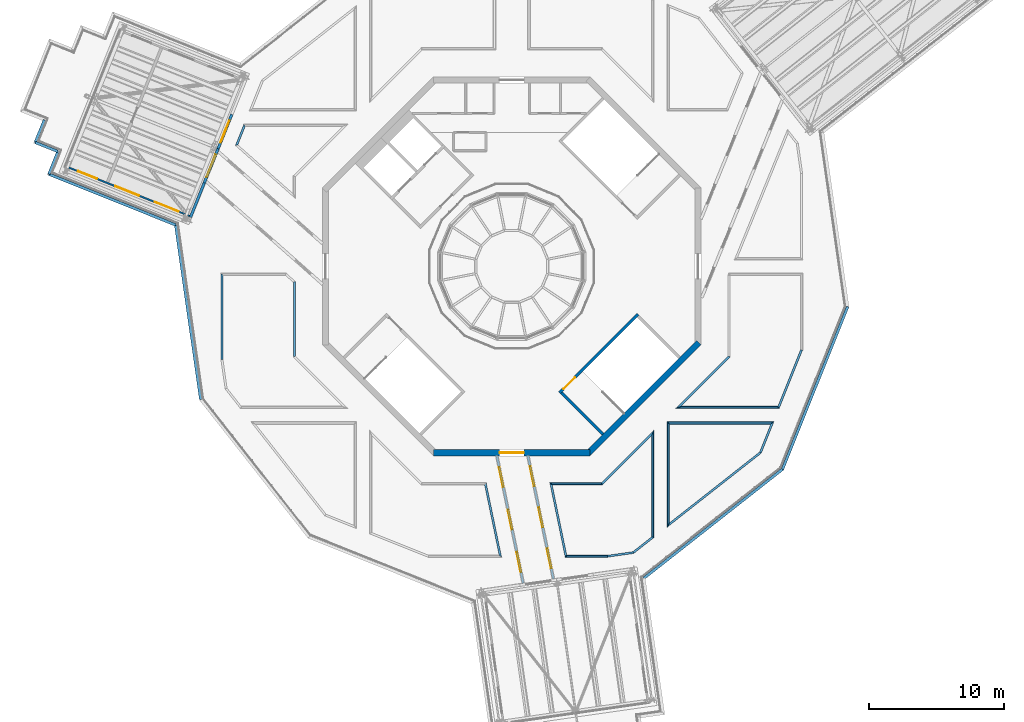
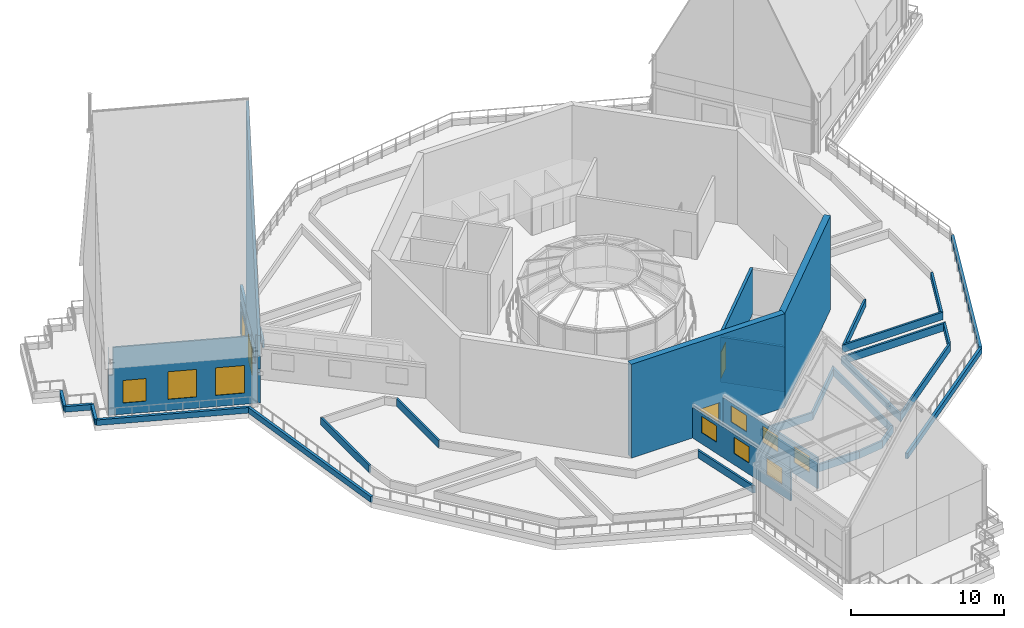
# One storey, part 13 of 32: 39 walls, 9 windows, 4 doors, 13 openings.
"""IFC4 building model written with IfcOpenShell, lengths in metres."""

from ifc_helpers import new_model, si_unit, direction, frame, frame_2d, origin, place, context, subcontext, project, spatial, polyline, rectangle, outline, extrude, material, layer, layer_set, type_object, element, fill, save


model = new_model("IFC4")

# Units and contexts
model_context = context("Model", 3, precision=1e-05, world=origin(), true_north=direction((0.0, 1.0)))
body_context = subcontext(model_context, "Body", "Model", "MODEL_VIEW")
ifc_project = project(units=[si_unit("LENGTHUNIT", "METRE"), si_unit("AREAUNIT", "SQUARE_METRE"), si_unit("VOLUMEUNIT", "CUBIC_METRE"), si_unit("PLANEANGLEUNIT", "RADIAN"), si_unit("MASSUNIT", "GRAM", prefix="KILO")], contexts=[model_context])

# Site, building, storey
site_placement = place(None, origin())
site = spatial("IfcSite", under=ifc_project, at=site_placement, CompositionType="ELEMENT")
building_placement = place(site_placement, origin())
building = spatial("IfcBuilding", under=site, at=building_placement, Name="Verdalira Terraces Hotel", CompositionType="ELEMENT")
storey_placement = place(building_placement, frame((0.0, 0.0, 315.0)))
storey = spatial("IfcBuildingStorey", under=building, at=storey_placement, Name="L78", CompositionType="ELEMENT", Elevation=315.0)

# Wall, opening, door
ifc_material_1 = material(Name="Concrete C40", Category="concrete")
ifc_layer_1 = layer(ifc_material_1, 0.199951171875)
ifc_layer_set_1 = layer_set([ifc_layer_1], Name="Bronze clad gable end wall 200 mm")
wall_type_1 = type_object("IfcWallType", Name="Bronze clad gable end wall 200 mm", PredefinedType="SOLIDWALL", material=ifc_layer_set_1)
wall_1_placement = place(storey_placement, frame((-20.696533, 11.23584, 0.0), z_axis=(0.0, 0.0, 1.0), x_axis=(-0.372038199, -0.92821742, 0.0)))
wall_1 = element("IfcWall", 1, at=wall_1_placement, inside=storey, type_object=wall_type_1, Name="Bronze clad gable end wall G1S2", PredefinedType="SOLIDWALL", context=body_context, shape_type="SweptSolid", body=[
    extrude(rectangle(XDim=2.72998, YDim=0.199951, at=frame_2d((1.36499, 0.0))), origin(), (0.0, 0.0, 1.0), 2.456055),
])
opening_1_placement = place(wall_1_placement, frame((0.465088, 0.0, 0.0)))
opening_1 = element("IfcOpeningElement", 2, at=opening_1_placement, cuts=wall_1, Name="Opening L78-D07", PredefinedType="OPENING", context=body_context, shape_type="SweptSolid", body=[
    extrude(rectangle(XDim=1.800049, YDim=2.100098, at=frame_2d((0.899902, 1.050049))), frame((0.0, 0.109863, 0.0), z_axis=(0.0, -1.0, 0.0), x_axis=(1.0, 0.0, 0.0)), (0.0, 0.0, 1.0), 0.219971),
])
ifc_material_2 = material(Name="Steel and glass door", Category="steel")
door_type_1 = type_object("IfcDoorType", Name="Pavilion door pair 1800 x 2100", OperationType="DOUBLE_DOOR_SINGLE_SWING", PredefinedType="DOOR", material=ifc_material_2)
door_1_placement = place(opening_1_placement, origin())
door_1 = element("IfcDoor", 3, at=door_1_placement, inside=storey, type_object=door_type_1, Name="Garden pavilion door", OperationType="DOUBLE_DOOR_SINGLE_SWING", OverallHeight=2.10009765625, OverallWidth=1.800048828125, PredefinedType="DOOR", context=body_context, shape_type="SweptSolid", body=[
    extrude(rectangle(XDim=1.800049, YDim=2.100098, at=frame_2d((0.899902, 1.050049))), frame((0.0, 0.024902, 0.0), z_axis=(0.0, -1.0, 0.0), x_axis=(1.0, 0.0, 0.0)), (0.0, 0.0, 1.0), 0.050049),
])
fill(opening_1, door_1)

# Wall
wall_2_placement = place(storey_placement, frame((-20.696533, 11.23584, 2.709961), z_axis=(0.0, 0.0, 1.0), x_axis=(-0.372038199, -0.92821742, 0.0)))
element("IfcWall", 4, at=wall_2_placement, inside=storey, type_object=wall_type_1, Name="Bronze clad gable end wall G1S2 middle course", PredefinedType="SOLIDWALL", context=body_context, shape_type="SweptSolid", body=[
    extrude(rectangle(XDim=2.72998, YDim=0.199951, at=frame_2d((1.36499, 0.0))), origin(), (0.0, 0.0, 1.0), 1.090088),
])

# Wall, opening, door
wall_3_placement = place(storey_placement, frame((-21.712158, 8.701904, 0.0), z_axis=(0.0, 0.0, 1.0), x_axis=(-0.372007317, -0.928229797, 0.0)))
wall_3 = element("IfcWall", 5, at=wall_3_placement, inside=storey, type_object=wall_type_1, Name="Bronze clad gable end wall G1S3", PredefinedType="SOLIDWALL", context=body_context, shape_type="SweptSolid", body=[
    extrude(rectangle(XDim=2.730225, YDim=0.199951, at=frame_2d((1.365234, 0.0))), origin(), (0.0, 0.0, 1.0), 2.456055),
])
opening_2_placement = place(wall_3_placement, frame((0.465088, 0.0, 0.0)))
opening_2 = element("IfcOpeningElement", 6, at=opening_2_placement, cuts=wall_3, Name="Opening L78-D08", PredefinedType="OPENING", context=body_context, shape_type="SweptSolid", body=[
    extrude(rectangle(XDim=1.800049, YDim=2.100098, at=frame_2d((0.899902, 1.050049))), frame((0.0, 0.109863, 0.0), z_axis=(0.0, -1.0, 0.0), x_axis=(1.0, 0.0, 0.0)), (0.0, 0.0, 1.0), 0.219971),
])
door_2_placement = place(opening_2_placement, origin())
door_2 = element("IfcDoor", 7, at=door_2_placement, inside=storey, type_object=door_type_1, Name="Garden pavilion door", OperationType="DOUBLE_DOOR_SINGLE_SWING", OverallHeight=2.10009765625, OverallWidth=1.800048828125, PredefinedType="DOOR", context=body_context, shape_type="SweptSolid", body=[
    extrude(rectangle(XDim=1.800049, YDim=2.100098, at=frame_2d((0.899902, 1.050049))), frame((0.0, 0.024902, 0.0), z_axis=(0.0, -1.0, 0.0), x_axis=(1.0, 0.0, 0.0)), (0.0, 0.0, 1.0), 0.050049),
])
fill(opening_2, door_2)

# Walls
wall_4_placement = place(storey_placement, frame((-21.712158, 8.701904, 2.709961), z_axis=(0.0, 0.0, 1.0), x_axis=(-0.372007317, -0.928229797, 0.0)))
element("IfcWall", 8, at=wall_4_placement, inside=storey, type_object=wall_type_1, Name="Bronze clad gable end wall G1S3 middle course", PredefinedType="SOLIDWALL", context=body_context, shape_type="SweptSolid", body=[
    extrude(rectangle(XDim=2.730225, YDim=0.199951, at=frame_2d((1.365234, 0.0))), origin(), (0.0, 0.0, 1.0), 1.090088),
])
wall_5_placement = place(storey_placement, frame((-22.727783, 6.167725, 0.0), z_axis=(0.0, 0.0, 1.0), x_axis=(-0.372038199, -0.92821742, 0.0)))
element("IfcWall", 9, at=wall_5_placement, inside=storey, type_object=wall_type_1, Name="Bronze clad gable end wall G1S4", PredefinedType="SOLIDWALL", context=body_context, shape_type="SweptSolid", body=[
    extrude(rectangle(XDim=2.72998, YDim=0.199951, at=frame_2d((1.36499, 0.0))), origin(), (0.0, 0.0, 1.0), 2.456055),
])
wall_6_placement = place(storey_placement, frame((-22.727783, 6.167725, 2.709961), z_axis=(0.0, 0.0, 1.0), x_axis=(-0.372038199, -0.92821742, 0.0)))
element("IfcWall", 10, at=wall_6_placement, inside=storey, type_object=wall_type_1, Name="Bronze clad gable end wall G1S4 middle course", PredefinedType="SOLIDWALL", context=body_context, shape_type="SweptSolid", body=[
    extrude(rectangle(XDim=2.72998, YDim=0.199951, at=frame_2d((1.36499, 0.0))), origin(), (0.0, 0.0, 1.0), 1.090088),
])
ifc_material_3 = material(Name="Concrete C40", Category="concrete")
ifc_layer_2 = layer(ifc_material_3, 0.199951171875)
ifc_layer_set_2 = layer_set([ifc_layer_2], Name="Bronze clad gable end wall G1 upper course 200 mm")
wall_type_2 = type_object("IfcWallType", Name="Bronze clad gable end wall G1 upper course 200 mm", PredefinedType="SOLIDWALL", material=ifc_layer_set_2)
wall_7_placement = place(storey_placement, frame((-23.743408, 3.633789, 3.800049), z_axis=(0.0, 0.0, 1.0), x_axis=(0.372022758, 0.928223609, 0.0)))
element("IfcWall", 11, at=wall_7_placement, inside=storey, type_object=wall_type_2, Name="Bronze clad gable end wall G1S upper 2", PredefinedType="SOLIDWALL", context=body_context, shape_type="SweptSolid", body=[
    extrude(outline(polyline([(0.0, 0.0), (5.459961, 0.0), (5.459961, 16.583984), (0.0, 1.602539), (0.0, 0.0)])), frame((0.0, 0.100098, 0.0), z_axis=(0.0, -1.0, 0.0), x_axis=(1.0, 0.0, 0.0)), (0.0, 0.0, 1.0), 0.199951),
])

# Wall, opening, door
ifc_material_4 = material(Name="Concrete C50", Category="concrete")
ifc_layer_3 = layer(ifc_material_4, 0.449951171875)
ifc_layer_set_3 = layer_set([ifc_layer_3], Name="Core wall 450 C50")
wall_type_3 = type_object("IfcWallType", Name="Core wall 450 C50", PredefinedType="SHEAR", material=ifc_layer_set_3)
wall_8_placement = place(storey_placement, frame((-5.799072, -13.774902, 0.0), z_axis=(0.0, 0.0, 1.0), x_axis=(1.0, 0.0, 0.0)))
wall_8 = element("IfcWall", 12, at=wall_8_placement, inside=storey, type_object=wall_type_3, Name="Core wall CW-L78-7", PredefinedType="SHEAR", context=body_context, shape_type="SweptSolid", body=[
    extrude(rectangle(XDim=11.598145, YDim=0.449951, at=frame_2d((5.799072, 0.0))), origin(), (0.0, 0.0, 1.0), 7.5),
])
opening_3_placement = place(wall_8_placement, frame((4.898926, 0.0, 0.0)))
opening_3 = element("IfcOpeningElement", 13, at=opening_3_placement, cuts=wall_8, Name="Opening L78-D04", PredefinedType="OPENING", context=body_context, shape_type="SweptSolid", body=[
    extrude(rectangle(XDim=1.800049, YDim=2.100098, at=frame_2d((0.899902, 1.050049))), frame((0.0, 0.234863, 0.0), z_axis=(0.0, -1.0, 0.0), x_axis=(1.0, 0.0, 0.0)), (0.0, 0.0, 1.0), 0.469971),
])
ifc_material_5 = material(Name="Steel fire door", Category="steel")
door_type_2 = type_object("IfcDoorType", Name="Garden door pair 1800 x 2100", OperationType="DOUBLE_DOOR_SINGLE_SWING", PredefinedType="DOOR", material=ifc_material_5)
door_3_placement = place(opening_3_placement, origin())
door_3 = element("IfcDoor", 14, at=door_3_placement, inside=storey, type_object=door_type_2, Name="Roof garden door", OperationType="DOUBLE_DOOR_SINGLE_SWING", OverallHeight=2.10009765625, OverallWidth=1.800048828125, PredefinedType="DOOR", context=body_context, shape_type="SweptSolid", body=[
    extrude(rectangle(XDim=1.800049, YDim=2.100098, at=frame_2d((0.899902, 1.050049))), frame((0.0, 0.024902, 0.0), z_axis=(0.0, -1.0, 0.0), x_axis=(1.0, 0.0, 0.0)), (0.0, 0.0, 1.0), 0.050049),
])
fill(opening_3, door_3)

# Walls
wall_9_placement = place(storey_placement, frame((5.639893, -13.84082, 0.0), z_axis=(0.0, 0.0, 1.0), x_axis=(0.707106781, 0.707106781, 0.0)))
element("IfcWall", 15, at=wall_9_placement, inside=storey, type_object=wall_type_3, Name="Core wall CW-L78-8", PredefinedType="SHEAR", context=body_context, shape_type="SweptSolid", body=[
    extrude(rectangle(XDim=11.5979, YDim=0.449951, at=frame_2d((5.798828, 0.0))), origin(), (0.0, 0.0, 1.0), 7.5),
])
ifc_material_6 = material(Name="Concrete C40", Category="concrete")
ifc_layer_4 = layer(ifc_material_6, 0.14990234375)
ifc_layer_set_4 = layer_set([ifc_layer_4], Name="Crown planter trough 150 x 600")
wall_type_4 = type_object("IfcWallType", Name="Crown planter trough 150 x 600", PredefinedType="SOLIDWALL", material=ifc_layer_set_4)
wall_10_placement = place(storey_placement, origin())
element("IfcWall", 16, at=wall_10_placement, inside=storey, type_object=wall_type_4, Name="Crown garden planter", PredefinedType="SOLIDWALL", context=body_context, shape_type="SweptSolid", body=[
    extrude(outline(polyline([(-19.804443, 10.5), (-20.429443, 8.940918), (-20.250732, 8.983398), (-19.702881, 10.350098), (-19.804443, 10.5)])), origin(), (0.0, 0.0, 1.0), 0.600098),
])
wall_11_placement = place(storey_placement, origin())
element("IfcWall", 17, at=wall_11_placement, inside=storey, type_object=wall_type_4, Name="Crown garden planter", PredefinedType="SOLIDWALL", context=body_context, shape_type="SweptSolid", body=[
    extrude(outline(polyline([(11.5, -19.271484), (18.441895, -13.816406), (18.317627, -13.723389), (11.649902, -18.962891), (11.5, -19.271484)])), origin(), (0.0, 0.0, 1.0), 0.600098),
])
wall_12_placement = place(storey_placement, origin())
element("IfcWall", 18, at=wall_12_placement, inside=storey, type_object=wall_type_4, Name="Crown garden planter", PredefinedType="SOLIDWALL", context=body_context, shape_type="SweptSolid", body=[
    extrude(outline(polyline([(18.441895, -13.816406), (19.370361, -11.5), (19.148682, -11.649902), (18.317627, -13.723389), (18.441895, -13.816406)])), origin(), (0.0, 0.0, 1.0), 0.600098),
])
wall_13_placement = place(storey_placement, origin())
element("IfcWall", 19, at=wall_13_placement, inside=storey, type_object=wall_type_4, Name="Crown garden planter", PredefinedType="SOLIDWALL", context=body_context, shape_type="SweptSolid", body=[
    extrude(outline(polyline([(19.370361, -11.5), (11.5, -11.5), (11.649902, -11.649902), (19.148682, -11.649902), (19.370361, -11.5)])), origin(), (0.0, 0.0, 1.0), 0.600098),
])
wall_14_placement = place(storey_placement, origin())
element("IfcWall", 20, at=wall_14_placement, inside=storey, type_object=wall_type_4, Name="Crown garden planter", PredefinedType="SOLIDWALL", context=body_context, shape_type="SweptSolid", body=[
    extrude(outline(polyline([(11.5, -11.5), (11.5, -19.271484), (11.649902, -18.962891), (11.649902, -11.649902), (11.5, -11.5)])), origin(), (0.0, 0.0, 1.0), 0.600098),
])
wall_15_placement = place(storey_placement, origin())
element("IfcWall", 21, at=wall_15_placement, inside=storey, type_object=wall_type_4, Name="Crown garden planter", PredefinedType="SOLIDWALL", context=body_context, shape_type="SweptSolid", body=[
    extrude(outline(polyline([(9.014404, -21.224609), (10.5, -20.057373), (10.350098, -19.984375), (8.953369, -21.081787), (9.014404, -21.224609)])), origin(), (0.0, 0.0, 1.0), 0.600098),
])
wall_16_placement = place(storey_placement, origin())
element("IfcWall", 22, at=wall_16_placement, inside=storey, type_object=wall_type_4, Name="Crown garden planter", PredefinedType="SOLIDWALL", context=body_context, shape_type="SweptSolid", body=[
    extrude(outline(polyline([(10.5, -20.057373), (10.5, -12.127441), (10.350098, -12.489502), (10.350098, -19.984375), (10.5, -20.057373)])), origin(), (0.0, 0.0, 1.0), 0.600098),
])
wall_17_placement = place(storey_placement, origin())
element("IfcWall", 23, at=wall_17_placement, inside=storey, type_object=wall_type_4, Name="Crown garden planter", PredefinedType="SOLIDWALL", context=body_context, shape_type="SweptSolid", body=[
    extrude(outline(polyline([(10.5, -12.127441), (6.627441, -16.0), (6.689453, -16.149902), (10.350098, -12.489502), (10.5, -12.127441)])), origin(), (0.0, 0.0, 1.0), 0.600098),
])
wall_18_placement = place(storey_placement, origin())
element("IfcWall", 24, at=wall_18_placement, inside=storey, type_object=wall_type_4, Name="Crown garden planter", PredefinedType="SOLIDWALL", context=body_context, shape_type="SweptSolid", body=[
    extrude(outline(polyline([(6.627441, -16.0), (2.809814, -16.0), (2.994141, -16.149902), (6.689453, -16.149902), (6.627441, -16.0)])), origin(), (0.0, 0.0, 1.0), 0.600098),
])
wall_19_placement = place(storey_placement, origin())
element("IfcWall", 25, at=wall_19_placement, inside=storey, type_object=wall_type_4, Name="Crown garden planter", PredefinedType="SOLIDWALL", context=body_context, shape_type="SweptSolid", body=[
    extrude(outline(polyline([(2.809814, -16.0), (3.949219, -21.5), (4.071289, -21.350098), (2.994141, -16.149902), (2.809814, -16.0)])), origin(), (0.0, 0.0, 1.0), 0.600098),
])
wall_20_placement = place(storey_placement, origin())
element("IfcWall", 26, at=wall_20_placement, inside=storey, type_object=wall_type_4, Name="Crown garden planter", PredefinedType="SOLIDWALL", context=body_context, shape_type="SweptSolid", body=[
    extrude(outline(polyline([(3.949219, -21.5), (7.093994, -21.5), (7.083252, -21.350098), (4.071289, -21.350098), (3.949219, -21.5)])), origin(), (0.0, 0.0, 1.0), 0.600098),
])
wall_21_placement = place(storey_placement, origin())
element("IfcWall", 27, at=wall_21_placement, inside=storey, type_object=wall_type_4, Name="Crown garden planter", PredefinedType="SOLIDWALL", context=body_context, shape_type="SweptSolid", body=[
    extrude(outline(polyline([(7.093994, -21.5), (9.014404, -21.224609), (8.953369, -21.081787), (7.083252, -21.350098), (7.093994, -21.5)])), origin(), (0.0, 0.0, 1.0), 0.600098),
])
wall_22_placement = place(storey_placement, origin())
element("IfcWall", 28, at=wall_22_placement, inside=storey, type_object=wall_type_4, Name="Crown garden planter", PredefinedType="SOLIDWALL", context=body_context, shape_type="SweptSolid", body=[
    extrude(outline(polyline([(16.0, -6.627441), (12.127441, -10.5), (12.489502, -10.350098), (16.149902, -6.689453), (16.0, -6.627441)])), origin(), (0.0, 0.0, 1.0), 0.600098),
])
wall_23_placement = place(storey_placement, origin())
element("IfcWall", 29, at=wall_23_placement, inside=storey, type_object=wall_type_4, Name="Crown garden planter", PredefinedType="SOLIDWALL", context=body_context, shape_type="SweptSolid", body=[
    extrude(outline(polyline([(12.127441, -10.5), (19.77124, -10.5), (19.669678, -10.350098), (12.489502, -10.350098), (12.127441, -10.5)])), origin(), (0.0, 0.0, 1.0), 0.600098),
])
wall_24_placement = place(storey_placement, origin())
element("IfcWall", 30, at=wall_24_placement, inside=storey, type_object=wall_type_4, Name="Crown garden planter", PredefinedType="SOLIDWALL", context=body_context, shape_type="SweptSolid", body=[
    extrude(outline(polyline([(19.77124, -10.5), (21.5, -6.186523), (21.350098, -6.157471), (19.669678, -10.350098), (19.77124, -10.5)])), origin(), (0.0, 0.0, 1.0), 0.600098),
])
wall_25_placement = place(storey_placement, origin())
element("IfcWall", 31, at=wall_25_placement, inside=storey, type_object=wall_type_4, Name="Crown garden planter", PredefinedType="SOLIDWALL", context=body_context, shape_type="SweptSolid", body=[
    extrude(outline(polyline([(-16.0, -6.627441), (-16.0, -1.104004), (-16.149902, -1.171631), (-16.149902, -6.689453), (-16.0, -6.627441)])), origin(), (0.0, 0.0, 1.0), 0.600098),
])
wall_26_placement = place(storey_placement, origin())
element("IfcWall", 32, at=wall_26_placement, inside=storey, type_object=wall_type_4, Name="Crown garden planter", PredefinedType="SOLIDWALL", context=body_context, shape_type="SweptSolid", body=[
    extrude(outline(polyline([(-21.5, -0.5), (-21.5, -6.876221), (-21.350098, -6.865479), (-21.350098, -0.649902), (-21.5, -0.5)])), origin(), (0.0, 0.0, 1.0), 0.600098),
])
wall_27_placement = place(storey_placement, origin())
element("IfcWall", 33, at=wall_27_placement, inside=storey, type_object=wall_type_4, Name="Crown garden planter", PredefinedType="SOLIDWALL", context=body_context, shape_type="SweptSolid", body=[
    extrude(outline(polyline([(-0.748291, -21.5), (-1.887939, -16.0), (-2.01001, -16.149902), (-0.932617, -21.350098), (-0.748291, -21.5)])), origin(), (0.0, 0.0, 1.0), 0.600098),
])
ifc_material_7 = material(Name="Concrete C40", Category="concrete")
ifc_layer_5 = layer(ifc_material_7, 0.199951171875)
ifc_layer_set_5 = layer_set([ifc_layer_5], Name="Crown upstand 200 x 450")
wall_type_5 = type_object("IfcWallType", Name="Crown upstand 200 x 450", PredefinedType="SOLIDWALL", material=ifc_layer_set_5)
for number, where, z_axis, x_axis, name in (
    (34, (-34.550537, 10.830811, 0.0), (0.0, 0.0, 1.0), (-0.372021953, -0.928223931, 0.0), "Crown upstand"),
    (35, (-35.220215, 9.159912, 0.0), (0.0, 0.0, 1.0), (0.928223931, -0.372021953, 0.0), "Crown upstand"),
):
    element("IfcWall", number, at=place(storey_placement, frame(where, z_axis=z_axis, x_axis=x_axis)), inside=storey, type_object=wall_type_5, Name=name, PredefinedType="SOLIDWALL", context=body_context, shape_type="SweptSolid", body=[
        extrude(rectangle(XDim=1.800049, YDim=0.199951, at=frame_2d((0.899902, 0.0))), origin(), (0.0, 0.0, 1.0), 0.449951),
    ])
wall_28_placement = place(storey_placement, frame((-33.549316, 8.490234, 0.0), z_axis=(0.0, 0.0, 1.0), x_axis=(-0.372068792, -0.928205157, 0.0)))
element("IfcWall", 36, at=wall_28_placement, inside=storey, type_object=wall_type_5, Name="Crown upstand", PredefinedType="SOLIDWALL", context=body_context, shape_type="SweptSolid", body=[
    extrude(rectangle(XDim=1.799805, YDim=0.199951, at=frame_2d((0.899902, 0.0))), origin(), (0.0, 0.0, 1.0), 0.449951),
])
wall_29_placement = place(storey_placement, frame((-34.218994, 6.81958, 0.0), z_axis=(0.0, 0.0, 1.0), x_axis=(0.928228076, -0.372011612, 0.0)))
element("IfcWall", 37, at=wall_29_placement, inside=storey, type_object=wall_type_5, Name="Crown upstand", PredefinedType="SOLIDWALL", context=body_context, shape_type="SweptSolid", body=[
    extrude(rectangle(XDim=10.099365, YDim=0.199951, at=frame_2d((5.049805, 0.0))), origin(), (0.0, 0.0, 1.0), 0.449951),
])
for number, where, z_axis, x_axis, name in (
    (38, (-24.844482, 3.0625, 0.0), (0.0, 0.0, 1.0), (0.141938054, -0.989875542, 0.0), "Crown upstand"),
    (39, (9.770264, -23.047119, 0.0), (0.0, 0.0, 1.0), (0.786289732, 0.617857958, 0.0), "Crown upstand"),
):
    element("IfcWall", number, at=place(storey_placement, frame(where, z_axis=z_axis, x_axis=x_axis)), inside=storey, type_object=wall_type_5, Name=name, PredefinedType="SOLIDWALL", context=body_context, shape_type="SweptSolid", body=[
        extrude(rectangle(XDim=13.031006, YDim=0.199951, at=frame_2d((6.515625, 0.0))), origin(), (0.0, 0.0, 1.0), 0.449951),
    ])
wall_30_placement = place(storey_placement, frame((20.016357, -14.99585, 0.0), z_axis=(0.0, 0.0, 1.0), x_axis=(0.372011606, 0.928228078, 0.0)))
element("IfcWall", 40, at=wall_30_placement, inside=storey, type_object=wall_type_5, Name="Crown upstand", PredefinedType="SOLIDWALL", context=body_context, shape_type="SweptSolid", body=[
    extrude(rectangle(XDim=12.946289, YDim=0.199951, at=frame_2d((6.473145, 0.0))), origin(), (0.0, 0.0, 1.0), 0.449951),
])

# Wall, openings, windows
ifc_material_8 = material(Name="Concrete C40", Category="concrete")
ifc_layer_6 = layer(ifc_material_8, 0.14990234375)
ifc_layer_set_6 = layer_set([ifc_layer_6], Name="Garden link wall 150 mm")
wall_type_6 = type_object("IfcWallType", Name="Garden link wall 150 mm", PredefinedType="SOLIDWALL", material=ifc_layer_set_6)
wall_31_placement = place(storey_placement, frame((1.195557, -14.0, 0.0), z_axis=(0.0, 0.0, 1.0), x_axis=(0.202880058, -0.979203596, 0.0)))
wall_31 = element("IfcWall", 41, at=wall_31_placement, inside=storey, type_object=wall_type_6, Name="Garden link wall", PredefinedType="SOLIDWALL", context=body_context, shape_type="SweptSolid", body=[
    extrude(rectangle(XDim=9.294922, YDim=0.149902, at=frame_2d((4.647461, 0.0))), origin(), (0.0, 0.0, 1.0), 2.459961),
])
opening_4_placement = place(wall_31_placement, frame((0.799316, 0.0, 0.899902)))
opening_4 = element("IfcOpeningElement", 42, at=opening_4_placement, cuts=wall_31, Name="Opening WGK", PredefinedType="OPENING", context=body_context, shape_type="SweptSolid", body=[
    extrude(rectangle(XDim=1.5, YDim=1.300049, at=frame_2d((0.75, 0.649902))), frame((0.0, 0.084961, 0.0), z_axis=(0.0, -1.0, 0.0), x_axis=(1.0, 0.0, 0.0)), (0.0, 0.0, 1.0), 0.169922),
])
opening_5_placement = place(wall_31_placement, frame((3.897461, 0.0, 0.899902)))
opening_5 = element("IfcOpeningElement", 43, at=opening_5_placement, cuts=wall_31, Name="Opening WGK", PredefinedType="OPENING", context=body_context, shape_type="SweptSolid", body=[
    extrude(rectangle(XDim=1.5, YDim=1.300049, at=frame_2d((0.75, 0.649902))), frame((0.0, 0.084961, 0.0), z_axis=(0.0, -1.0, 0.0), x_axis=(1.0, 0.0, 0.0)), (0.0, 0.0, 1.0), 0.169922),
])
opening_6_placement = place(wall_31_placement, frame((6.99585, 0.0, 0.899902)))
opening_6 = element("IfcOpeningElement", 44, at=opening_6_placement, cuts=wall_31, Name="Opening WGK", PredefinedType="OPENING", context=body_context, shape_type="SweptSolid", body=[
    extrude(rectangle(XDim=1.5, YDim=1.300049, at=frame_2d((0.75, 0.649902))), frame((0.0, 0.084961, 0.0), z_axis=(0.0, -1.0, 0.0), x_axis=(1.0, 0.0, 0.0)), (0.0, 0.0, 1.0), 0.169922),
])
ifc_material_9 = material(Name="Clear laminated glass", Category="glass")
window_type_1 = type_object("IfcWindowType", Name="Garden link window 1500 x 1300", PartitioningType="SINGLE_PANEL", PredefinedType="WINDOW", material=ifc_material_9)
window_1_placement = place(opening_4_placement, origin())
window_1 = element("IfcWindow", 45, at=window_1_placement, inside=storey, type_object=window_type_1, Name="Garden link window", OverallHeight=1.300048828125, OverallWidth=1.5, PartitioningType="SINGLE_PANEL", PredefinedType="WINDOW", context=body_context, shape_type="SweptSolid", body=[
    extrude(rectangle(XDim=1.5, YDim=1.300049, at=frame_2d((0.75, 0.649902))), frame((0.0, 0.030029, 0.0), z_axis=(0.0, -1.0, 0.0), x_axis=(1.0, 0.0, 0.0)), (0.0, 0.0, 1.0), 0.060059),
])
fill(opening_4, window_1)
window_2_placement = place(opening_5_placement, origin())
window_2 = element("IfcWindow", 46, at=window_2_placement, inside=storey, type_object=window_type_1, Name="Garden link window", OverallHeight=1.300048828125, OverallWidth=1.5, PartitioningType="SINGLE_PANEL", PredefinedType="WINDOW", context=body_context, shape_type="SweptSolid", body=[
    extrude(rectangle(XDim=1.5, YDim=1.300049, at=frame_2d((0.75, 0.649902))), frame((0.0, 0.030029, 0.0), z_axis=(0.0, -1.0, 0.0), x_axis=(1.0, 0.0, 0.0)), (0.0, 0.0, 1.0), 0.060059),
])
fill(opening_5, window_2)
window_3_placement = place(opening_6_placement, origin())
window_3 = element("IfcWindow", 47, at=window_3_placement, inside=storey, type_object=window_type_1, Name="Garden link window", OverallHeight=1.300048828125, OverallWidth=1.5, PartitioningType="SINGLE_PANEL", PredefinedType="WINDOW", context=body_context, shape_type="SweptSolid", body=[
    extrude(rectangle(XDim=1.5, YDim=1.300049, at=frame_2d((0.75, 0.649902))), frame((0.0, 0.030029, 0.0), z_axis=(0.0, -1.0, 0.0), x_axis=(1.0, 0.0, 0.0)), (0.0, 0.0, 1.0), 0.060059),
])
fill(opening_6, window_3)

wall_32_placement = place(storey_placement, frame((-1.102295, -14.0, 0.0), z_axis=(0.0, 0.0, 1.0), x_axis=(0.202864863, -0.979206744, 0.0)))
wall_32 = element("IfcWall", 48, at=wall_32_placement, inside=storey, type_object=wall_type_6, Name="Garden link wall", PredefinedType="SOLIDWALL", context=body_context, shape_type="SweptSolid", body=[
    extrude(rectangle(XDim=9.621582, YDim=0.149902, at=frame_2d((4.810791, 0.0))), origin(), (0.0, 0.0, 1.0), 2.459961),
])
opening_7_placement = place(wall_32_placement, frame((0.853516, 0.0, 0.899902)))
opening_7 = element("IfcOpeningElement", 49, at=opening_7_placement, cuts=wall_32, Name="Opening WGK", PredefinedType="OPENING", context=body_context, shape_type="SweptSolid", body=[
    extrude(rectangle(XDim=1.5, YDim=1.300049, at=frame_2d((0.75, 0.649902))), frame((0.0, 0.084961, 0.0), z_axis=(0.0, -1.0, 0.0), x_axis=(1.0, 0.0, 0.0)), (0.0, 0.0, 1.0), 0.169922),
])
opening_8_placement = place(wall_32_placement, frame((4.060791, 0.0, 0.899902)))
opening_8 = element("IfcOpeningElement", 50, at=opening_8_placement, cuts=wall_32, Name="Opening WGK", PredefinedType="OPENING", context=body_context, shape_type="SweptSolid", body=[
    extrude(rectangle(XDim=1.5, YDim=1.300049, at=frame_2d((0.75, 0.649902))), frame((0.0, 0.084961, 0.0), z_axis=(0.0, -1.0, 0.0), x_axis=(1.0, 0.0, 0.0)), (0.0, 0.0, 1.0), 0.169922),
])
opening_9_placement = place(wall_32_placement, frame((7.268066, 0.0, 0.899902)))
opening_9 = element("IfcOpeningElement", 51, at=opening_9_placement, cuts=wall_32, Name="Opening WGK", PredefinedType="OPENING", context=body_context, shape_type="SweptSolid", body=[
    extrude(rectangle(XDim=1.5, YDim=1.300049, at=frame_2d((0.75, 0.649902))), frame((0.0, 0.084961, 0.0), z_axis=(0.0, -1.0, 0.0), x_axis=(1.0, 0.0, 0.0)), (0.0, 0.0, 1.0), 0.169922),
])
window_4_placement = place(opening_7_placement, origin())
window_4 = element("IfcWindow", 52, at=window_4_placement, inside=storey, type_object=window_type_1, Name="Garden link window", OverallHeight=1.300048828125, OverallWidth=1.5, PartitioningType="SINGLE_PANEL", PredefinedType="WINDOW", context=body_context, shape_type="SweptSolid", body=[
    extrude(rectangle(XDim=1.5, YDim=1.300049, at=frame_2d((0.75, 0.649902))), frame((0.0, 0.030029, 0.0), z_axis=(0.0, -1.0, 0.0), x_axis=(1.0, 0.0, 0.0)), (0.0, 0.0, 1.0), 0.060059),
])
fill(opening_7, window_4)
window_5_placement = place(opening_8_placement, origin())
window_5 = element("IfcWindow", 53, at=window_5_placement, inside=storey, type_object=window_type_1, Name="Garden link window", OverallHeight=1.300048828125, OverallWidth=1.5, PartitioningType="SINGLE_PANEL", PredefinedType="WINDOW", context=body_context, shape_type="SweptSolid", body=[
    extrude(rectangle(XDim=1.5, YDim=1.300049, at=frame_2d((0.75, 0.649902))), frame((0.0, 0.030029, 0.0), z_axis=(0.0, -1.0, 0.0), x_axis=(1.0, 0.0, 0.0)), (0.0, 0.0, 1.0), 0.060059),
])
fill(opening_8, window_5)
window_6_placement = place(opening_9_placement, origin())
window_6 = element("IfcWindow", 54, at=window_6_placement, inside=storey, type_object=window_type_1, Name="Garden link window", OverallHeight=1.300048828125, OverallWidth=1.5, PartitioningType="SINGLE_PANEL", PredefinedType="WINDOW", context=body_context, shape_type="SweptSolid", body=[
    extrude(rectangle(XDim=1.5, YDim=1.300049, at=frame_2d((0.75, 0.649902))), frame((0.0, 0.030029, 0.0), z_axis=(0.0, -1.0, 0.0), x_axis=(1.0, 0.0, 0.0)), (0.0, 0.0, 1.0), 0.060059),
])
fill(opening_9, window_6)

ifc_material_10 = material(Name="Concrete C40", Category="concrete")
ifc_layer_7 = layer(ifc_material_10, 0.1201171875)
ifc_layer_set_7 = layer_set([ifc_layer_7], Name="Pavilion side wall G1 120 mm")
wall_type_7 = type_object("IfcWallType", Name="Pavilion side wall G1 120 mm", PredefinedType="SOLIDWALL", material=ifc_layer_set_7)
wall_33_placement = place(storey_placement, frame((-23.813965, 3.726562, 0.0), z_axis=(0.0, 0.0, 1.0), x_axis=(-0.928217226, 0.372038683, 0.0)))
wall_33 = element("IfcWall", 55, at=wall_33_placement, inside=storey, type_object=wall_type_7, Name="Garden pavilion side wall G1a", PredefinedType="SOLIDWALL", context=body_context, shape_type="SweptSolid", body=[
    extrude(outline(polyline([(0.0, 0.0), (9.872314, 0.0), (9.872314, 5.402588), (9.849854, 5.402588), (9.848877, 3.192139), (9.569824, 3.192139), (9.568848, 5.402588), (0.38916, 5.402588), (0.388184, 3.192139), (0.109131, 3.192139), (0.108154, 5.402588), (0.0, 5.402588), (0.0, 0.0)])), frame((0.0, 0.060059, 0.0), z_axis=(0.0, -1.0, 0.0), x_axis=(1.0, 0.0, 0.0)), (0.0, 0.0, 1.0), 0.120117),
])
opening_10_placement = place(wall_33_placement, frame((0.875, 0.0, 0.899902)))
opening_10 = element("IfcOpeningElement", 56, at=opening_10_placement, cuts=wall_33, Name="Opening WGW", PredefinedType="OPENING", context=body_context, shape_type="SweptSolid", body=[
    extrude(rectangle(XDim=1.899902, YDim=2.199951, at=frame_2d((0.949951, 1.100098))), frame((0.0, 0.070068, 0.0), z_axis=(0.0, -1.0, 0.0), x_axis=(1.0, 0.0, 0.0)), (0.0, 0.0, 1.0), 0.140137),
])
opening_11_placement = place(wall_33_placement, frame((4.028564, 0.0, 0.899902)))
opening_11 = element("IfcOpeningElement", 57, at=opening_11_placement, cuts=wall_33, Name="Opening WGW", PredefinedType="OPENING", context=body_context, shape_type="SweptSolid", body=[
    extrude(rectangle(XDim=1.899902, YDim=2.199951, at=frame_2d((0.949951, 1.100098))), frame((0.0, 0.070068, 0.0), z_axis=(0.0, -1.0, 0.0), x_axis=(1.0, 0.0, 0.0)), (0.0, 0.0, 1.0), 0.140137),
])
opening_12_placement = place(wall_33_placement, frame((7.38208, 0.0, 0.899902)))
opening_12 = element("IfcOpeningElement", 58, at=opening_12_placement, cuts=wall_33, Name="Opening WLP", PredefinedType="OPENING", context=body_context, shape_type="SweptSolid", body=[
    extrude(rectangle(XDim=1.5, YDim=1.800049, at=frame_2d((0.75, 0.899902))), frame((0.0, 0.070068, 0.0), z_axis=(0.0, -1.0, 0.0), x_axis=(1.0, 0.0, 0.0)), (0.0, 0.0, 1.0), 0.140137),
])
ifc_material_11 = material(Name="Clear laminated glass", Category="glass")
window_type_2 = type_object("IfcWindowType", Name="Pavilion window 1900 x 2200", PartitioningType="DOUBLE_PANEL_HORIZONTAL", PredefinedType="WINDOW", material=ifc_material_11)
window_7_placement = place(opening_10_placement, origin())
window_7 = element("IfcWindow", 59, at=window_7_placement, inside=storey, type_object=window_type_2, Name="Garden pavilion window", OverallHeight=2.199951171875, OverallWidth=1.89990234375, PartitioningType="DOUBLE_PANEL_HORIZONTAL", PredefinedType="WINDOW", context=body_context, shape_type="SweptSolid", body=[
    extrude(rectangle(XDim=1.899902, YDim=2.199951, at=frame_2d((0.949951, 1.100098))), frame((0.0, 0.030029, 0.0), z_axis=(0.0, -1.0, 0.0), x_axis=(1.0, 0.0, 0.0)), (0.0, 0.0, 1.0), 0.060059),
])
fill(opening_10, window_7)
window_8_placement = place(opening_11_placement, origin())
window_8 = element("IfcWindow", 60, at=window_8_placement, inside=storey, type_object=window_type_2, Name="Garden pavilion window", OverallHeight=2.199951171875, OverallWidth=1.89990234375, PartitioningType="DOUBLE_PANEL_HORIZONTAL", PredefinedType="WINDOW", context=body_context, shape_type="SweptSolid", body=[
    extrude(rectangle(XDim=1.899902, YDim=2.199951, at=frame_2d((0.949951, 1.100098))), frame((0.0, 0.030029, 0.0), z_axis=(0.0, -1.0, 0.0), x_axis=(1.0, 0.0, 0.0)), (0.0, 0.0, 1.0), 0.060059),
])
fill(opening_11, window_8)
ifc_material_12 = material(Name="Bronze-finished steel louvre", Category="steel")
window_type_3 = type_object("IfcWindowType", Name="Plant room louvre 1500 x 1800", PartitioningType="SINGLE_PANEL", PredefinedType="WINDOW", material=ifc_material_12)
window_9_placement = place(opening_12_placement, origin())
window_9 = element("IfcWindow", 61, at=window_9_placement, inside=storey, type_object=window_type_3, Name="Plant room louvre", OverallHeight=1.800048828125, OverallWidth=1.5, PartitioningType="SINGLE_PANEL", PredefinedType="WINDOW", context=body_context, shape_type="SweptSolid", body=[
    extrude(rectangle(XDim=1.5, YDim=1.800049, at=frame_2d((0.75, 0.899902))), frame((0.0, 0.030029, 0.0), z_axis=(0.0, -1.0, 0.0), x_axis=(1.0, 0.0, 0.0)), (0.0, 0.0, 1.0), 0.060059),
])
fill(opening_12, window_9)

# Wall, opening, door
ifc_material_13 = material(Name="Concrete C50", Category="concrete")
ifc_layer_8 = layer(ifc_material_13, 0.199951171875)
ifc_layer_set_8 = layer_set([ifc_layer_8], Name="Stair head-house wall 200 C50")
wall_type_8 = type_object("IfcWallType", Name="Stair head-house wall 200 C50", PredefinedType="SOLIDWALL", material=ifc_layer_set_8)
wall_34_placement = place(storey_placement, frame((9.33374, -3.5354, 0.0), z_axis=(0.0, 0.0, 1.0), x_axis=(-0.707106781, -0.707106781, 0.0)))
wall_34 = element("IfcWall", 62, at=wall_34_placement, inside=storey, type_object=wall_type_8, Name="L78 stair ST3 front wall", PredefinedType="SOLIDWALL", context=body_context, shape_type="SweptSolid", body=[
    extrude(rectangle(XDim=8.200195, YDim=0.199951, at=frame_2d((4.100098, 0.0))), origin(), (0.0, 0.0, 1.0), 3.600098),
])
opening_13_placement = place(wall_34_placement, frame((6.600098, 0.0, 0.0)))
opening_13 = element("IfcOpeningElement", 63, at=opening_13_placement, cuts=wall_34, Name="Opening L78-805", PredefinedType="OPENING", context=body_context, shape_type="SweptSolid", body=[
    extrude(rectangle(XDim=1.199951, YDim=2.100098, at=frame_2d((0.600098, 1.050049))), frame((0.0, 0.109863, 0.0), z_axis=(0.0, -1.0, 0.0), x_axis=(1.0, 0.0, 0.0)), (0.0, 0.0, 1.0), 0.219971),
])
ifc_material_14 = material(Name="Steel fire door", Category="steel")
door_type_3 = type_object("IfcDoorType", Name="Stair door 1200 x 2100", OperationType="NOTDEFINED", PredefinedType="DOOR", material=ifc_material_14)
door_4_placement = place(opening_13_placement, origin())
door_4 = element("IfcDoor", 64, at=door_4_placement, inside=storey, type_object=door_type_3, Name="Stair door ST3 L78", OperationType="SINGLE_SWING_RIGHT", OverallHeight=2.10009765625, OverallWidth=1.199951171875, PredefinedType="DOOR", context=body_context, shape_type="SweptSolid", body=[
    extrude(rectangle(XDim=1.199951, YDim=2.100098, at=frame_2d((0.600098, 1.050049))), frame((0.0, 0.024902, 0.0), z_axis=(0.0, -1.0, 0.0), x_axis=(1.0, 0.0, 0.0)), (0.0, 0.0, 1.0), 0.050049),
])
fill(opening_13, door_4)

# Wall
wall_35_placement = place(storey_placement, frame((3.677002, -9.33374, 0.0), z_axis=(0.0, 0.0, 1.0), x_axis=(0.707106781, -0.707106781, 0.0)))
element("IfcWall", 65, at=wall_35_placement, inside=storey, type_object=wall_type_8, Name="L78 stair ST3 end wall 1", PredefinedType="SOLIDWALL", context=body_context, shape_type="SweptSolid", body=[
    extrude(rectangle(XDim=4.350098, YDim=0.199951, at=frame_2d((2.175049, 0.0))), origin(), (0.0, 0.0, 1.0), 3.600098),
])

save(model, "model.ifc")
